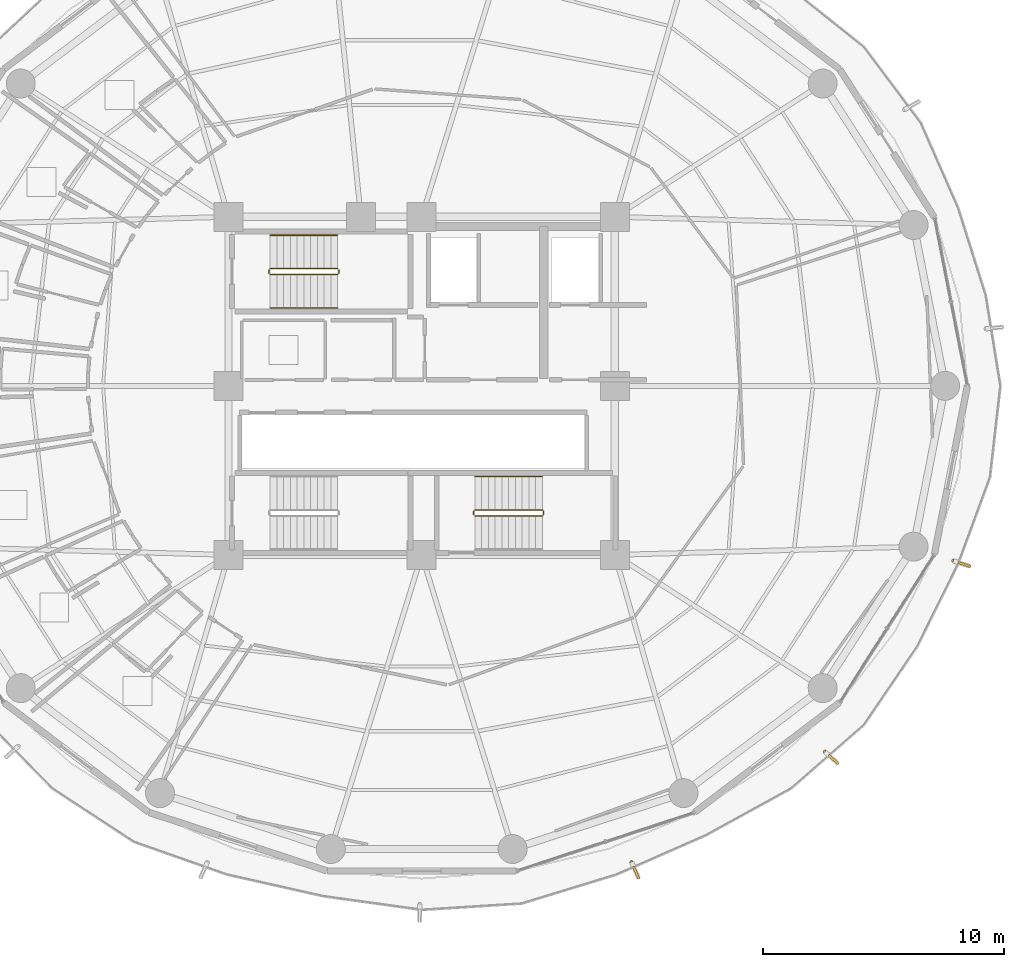
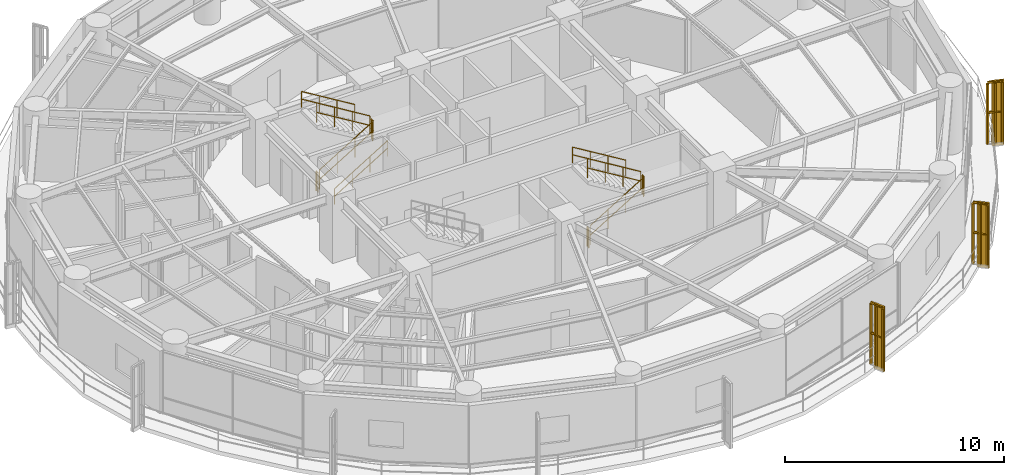
# One storey, part 27 of 28: 14 railings, 3 shading devices.
"""IFC4 building model written with IfcOpenShell, lengths in metres."""

import ifcopenshell
import ifcopenshell.guid

model = None  # the IFC model being written
_history = None  # IfcOwnerHistory: only IFC2X3 demands one
_inside = {}  # id of a spatial element -> (the spatial element, [elements in it])
_under = {}  # id of a project, library or spatial element -> (it, [spatial elements below it])
_declared = {}  # id of a project -> (the project, [libraries it declares])
_typed = {}  # id of a type object -> (the type object, [elements of that type])
_made_of = {}  # id of a material, layer set ... -> (it, [elements and type objects made of it])


def new_model(schema):
    """Start an empty IFC model of exactly this schema.

    Asked for "IFC4X3", IfcOpenShell would pick the latest addendum, in which some entities
    have other attributes; the version numbers below select the first issue.
    IFC2X3 requires an IfcOwnerHistory on every rooted entity: one is made here for all.
    """
    global model, _history
    if schema == "IFC4X3":
        model = ifcopenshell.file(schema_version=(4, 3, 0, 0))
    else:
        model = ifcopenshell.file(schema=schema)
    _inside.clear()
    _under.clear()
    _declared.clear()
    _typed.clear()
    _made_of.clear()
    _history = None
    if model.schema == "IFC2X3":
        org = make("IfcOrganization", Name="unknown")
        user = make(
            "IfcPersonAndOrganization",
            ThePerson=make("IfcPerson", FamilyName="unknown"),
            TheOrganization=org,
        )
        app = make(
            "IfcApplication",
            ApplicationDeveloper=org,
            Version="unknown",
            ApplicationFullName="unknown",
            ApplicationIdentifier="unknown",
        )
        _history = make(
            "IfcOwnerHistory",
            OwningUser=user,
            OwningApplication=app,
            ChangeAction="ADDED",
            CreationDate=0,
        )
    return model


def make(cls, **values):
    """One entity of the class cls with the attributes given. An attribute that is None is left unset."""
    return model.create_entity(
        cls, **{name: value for name, value in values.items() if value is not None}
    )


def rooted(cls, **values):
    """An entity with a GlobalId (a new one), such as an element, a storey or a relation."""
    return make(cls, GlobalId=ifcopenshell.guid.new(), OwnerHistory=_history, **values)


def si_unit(unit_type, name, prefix=None):
    """IfcSIUnit, for example si_unit("LENGTHUNIT", "METRE", prefix="MILLI")."""
    return make("IfcSIUnit", UnitType=unit_type, Prefix=prefix, Name=name)


def assignment(units):
    """IfcUnitAssignment: the units of a project."""
    return None if units is None else make("IfcUnitAssignment", Units=units)


def point(xyz):
    """IfcCartesianPoint."""
    return None if xyz is None else make("IfcCartesianPoint", Coordinates=xyz)


def direction(xyz):
    """IfcDirection."""
    return None if xyz is None else make("IfcDirection", DirectionRatios=xyz)


def frame(location, z_axis=None, x_axis=None):
    """IfcAxis2Placement3D, a coordinate frame: its origin and axes. An axis left out is left unset."""
    return make(
        "IfcAxis2Placement3D",
        Location=point(location),
        Axis=direction(z_axis),
        RefDirection=direction(x_axis),
    )


def frame_2d(location, x_axis=None):
    """IfcAxis2Placement2D, a coordinate frame in the plane: its origin and x axis."""
    return make(
        "IfcAxis2Placement2D", Location=point(location), RefDirection=direction(x_axis)
    )


def origin():
    """The frame at (0, 0, 0) with its axes left unset."""
    return frame((0.0, 0.0, 0.0))


def origin_2d():
    """The frame at (0, 0) in the plane with its x axis left unset."""
    return frame_2d((0.0, 0.0))


def place(relative_to, where):
    """IfcLocalPlacement: puts the frame where relative to a parent placement (None: the world)."""
    return make(
        "IfcLocalPlacement", PlacementRelTo=relative_to, RelativePlacement=where
    )


def context(
    kind, dimensions, precision=None, world=None, true_north=None, identifier=None
):
    """IfcGeometricRepresentationContext, for example the 3D "Model" context."""
    return make(
        "IfcGeometricRepresentationContext",
        ContextIdentifier=identifier,
        ContextType=kind,
        CoordinateSpaceDimension=dimensions,
        Precision=precision,
        WorldCoordinateSystem=world,
        TrueNorth=true_north,
    )


def subcontext(parent, identifier, kind, view, scale=None):
    """IfcGeometricRepresentationSubContext, for example "Body" below "Model"."""
    return make(
        "IfcGeometricRepresentationSubContext",
        ContextIdentifier=identifier,
        ContextType=kind,
        ParentContext=parent,
        TargetScale=scale,
        TargetView=view,
    )


def project(units=None, contexts=None):
    """IfcProject with its units and contexts."""
    return rooted(
        "IfcProject",
        Name="project",
        RepresentationContexts=contexts,
        UnitsInContext=assignment(units),
    )


def spatial(cls, under=None, at=None, **own):
    """A site, building, storey or space (cls), placed at a placement, below another one or the project."""
    s = rooted(cls, ObjectPlacement=at, **own)
    if under is not None:
        _under.setdefault(under.id(), (under, []))[1].append(s)
    return s


def polyline(points):
    """IfcPolyline through the points."""
    return make("IfcPolyline", Points=[point(p) for p in points])


def profile(cls, at=None, kind="AREA", **sizes):
    """A parametric profile (cls). Its sizes go by their IFC names, for example OverallWidth=200.0."""
    return make(cls, ProfileType=kind, Position=at, **sizes)


def rectangle(**sizes):
    """IfcRectangleProfileDef."""
    return profile("IfcRectangleProfileDef", **sizes)


def outline(outer, holes=None, kind="AREA"):
    """IfcArbitraryClosedProfileDef: a profile drawn as a closed curve; with holes, ...WithVoids."""
    if holes is None:
        return make("IfcArbitraryClosedProfileDef", ProfileType=kind, OuterCurve=outer)
    return make(
        "IfcArbitraryProfileDefWithVoids",
        ProfileType=kind,
        OuterCurve=outer,
        InnerCurves=holes,
    )


def extrude(swept, where, along, depth):
    """IfcExtrudedAreaSolid: the profile swept, set in the frame where, extruded along a direction by depth."""
    return make(
        "IfcExtrudedAreaSolid",
        SweptArea=swept,
        Position=where,
        ExtrudedDirection=direction(along),
        Depth=depth,
    )


def shape(context_of_items, identifier, shape_type, items):
    """IfcShapeRepresentation: the items that make up one representation, for example the "Body"."""
    return make(
        "IfcShapeRepresentation",
        ContextOfItems=context_of_items,
        RepresentationIdentifier=identifier,
        RepresentationType=shape_type,
        Items=items,
    )


def source(mapping_origin, context_of_items, identifier, shape_type, items):
    """IfcRepresentationMap: a shape defined once, which mapped items show again and again."""
    return make(
        "IfcRepresentationMap",
        MappingOrigin=mapping_origin,
        MappedRepresentation=shape(context_of_items, identifier, shape_type, items),
    )


def transform(
    local_origin,
    x_axis=None,
    y_axis=None,
    z_axis=None,
    scale=None,
    scale2=None,
    scale3=None,
    uniform=True,
):
    """IfcCartesianTransformationOperator3D, or its non-uniform kind. x_axis, y_axis, z_axis: its Axis1, 2, 3."""
    if uniform:
        return make(
            "IfcCartesianTransformationOperator3D",
            Axis1=direction(x_axis),
            Axis2=direction(y_axis),
            LocalOrigin=point(local_origin),
            Scale=scale,
            Axis3=direction(z_axis),
        )
    return make(
        "IfcCartesianTransformationOperator3DnonUniform",
        Axis1=direction(x_axis),
        Axis2=direction(y_axis),
        LocalOrigin=point(local_origin),
        Scale=scale,
        Axis3=direction(z_axis),
        Scale2=scale2,
        Scale3=scale3,
    )


def mapped(mapping_source, mapping_target):
    """IfcMappedItem: shows the shape of a source again, moved by a transform."""
    return make(
        "IfcMappedItem", MappingSource=mapping_source, MappingTarget=mapping_target
    )


def material(Name=None, Category=None):
    """IfcMaterial."""
    return make("IfcMaterial", Name=Name, Category=Category)


def made_of(thing, what):
    """Note that an element or type object is made of a material, layer set ...; save() writes the relation."""
    if what is not None:
        _made_of.setdefault(what.id(), (what, []))[1].append(thing)
    return thing


def type_object(cls, material=None, **own):
    """A type object (cls), such as IfcWallType, which elements share."""
    return made_of(rooted(cls, **own), material)


def element(
    cls,
    number,
    at=None,
    inside=None,
    cuts=None,
    type_object=None,
    material=None,
    context=None,
    identifier="Body",
    shape_type=None,
    held_by="IfcProductDefinitionShape",
    body=None,
    shapes=None,
    **own,
):
    """One element of the class cls, such as IfcWall. Its Tag is "e" and its number.

    at: its placement. inside: the storey or other place that contains it. cuts: it is an
    opening in that element (IfcRelVoidsElement). A single representation is given by context,
    identifier, shape_type and body (its items); several are given by shapes. held_by: the class
    of the entity that holds the representations. save() writes the other relations.
    """
    e = rooted(cls, Tag="e%d" % number, ObjectPlacement=at, **own)
    if body is not None:
        shapes = [shape(context, identifier, shape_type, body)]
    if shapes is not None:
        e.Representation = make(held_by, Representations=shapes)
    if inside is not None:
        _inside.setdefault(inside.id(), (inside, []))[1].append(e)
    if cuts is not None:
        rooted(
            "IfcRelVoidsElement", RelatingBuildingElement=cuts, RelatedOpeningElement=e
        )
    if type_object is not None:
        _typed.setdefault(type_object.id(), (type_object, []))[1].append(e)
    return made_of(e, material)


def aggregate(whole, parts):
    """IfcRelAggregates: a whole, such as a stair, and the parts it consists of."""
    return rooted("IfcRelAggregates", RelatingObject=whole, RelatedObjects=parts)


def save(model, path):
    """Write the relations noted so far, then the file.

    IfcRelAggregates (storeys below a building ...), IfcRelContainedInSpatialStructure (elements
    in a storey), IfcRelDefinesByType, IfcRelAssociatesMaterial and IfcRelDeclares: one each for
    every whole, place, type object, material and project.
    """
    for whole, parts in _under.values():
        aggregate(whole, parts)
    for where, things in _inside.values():
        rooted(
            "IfcRelContainedInSpatialStructure",
            RelatedElements=things,
            RelatingStructure=where,
        )
    for kind, things in _typed.values():
        rooted("IfcRelDefinesByType", RelatedObjects=things, RelatingType=kind)
    for what, things in _made_of.values():
        rooted("IfcRelAssociatesMaterial", RelatedObjects=things, RelatingMaterial=what)
    for by, libraries in _declared.values():
        rooted("IfcRelDeclares", RelatingContext=by, RelatedDefinitions=libraries)
    model.write(path)


model = new_model("IFC4")

# Units and contexts
model_context = context("Model", 3, precision=1e-05, world=origin(), true_north=direction((0.0, 1.0)))
body_context = subcontext(model_context, "Body", "Model", "MODEL_VIEW")
ifc_project = project(units=[si_unit("LENGTHUNIT", "METRE"), si_unit("AREAUNIT", "SQUARE_METRE"), si_unit("VOLUMEUNIT", "CUBIC_METRE"), si_unit("PLANEANGLEUNIT", "RADIAN"), si_unit("MASSUNIT", "GRAM", prefix="KILO")], contexts=[model_context])

# Site, building, storey
site_placement = place(None, origin())
site = spatial("IfcSite", under=ifc_project, at=site_placement, CompositionType="ELEMENT")
building_placement = place(site_placement, origin())
building = spatial("IfcBuilding", under=site, at=building_placement, Name="Kelanora Arch Commons", CompositionType="ELEMENT")
storey_placement = place(building_placement, frame((0.0, 0.0, 176.85009765625)))
storey = spatial("IfcBuildingStorey", under=building, at=storey_placement, Name="L45", CompositionType="ELEMENT", Elevation=176.85009765625)

# Railings
ifc_material_1 = material(Name="Anodised bronze vertical shading fin rib assembly")
railing_type_1 = type_object("IfcRailingType", Name="RAIL-FIN-BRZ", PredefinedType="BALUSTRADE", material=ifc_material_1)
railing_1_placement = place(storey_placement, frame((96.0244140625, 50.748779296875, -0.02001953125)))
element("IfcRailing", 1, at=railing_1_placement, inside=storey, type_object=railing_type_1, Name="Sweeping Bronze Vertical Fin Blade L45-00", PredefinedType="BALUSTRADE", context=body_context, shape_type="SweptSolid", body=[
    extrude(outline(polyline([(0.06982421875, 0.0), (0.034912109375, 0.060546875), (-0.034912109375, 0.060546875), (-0.06982421875, 0.0), (-0.034912109375, -0.060546875), (0.034912109375, -0.060546875), (0.06982421875, 0.0)])), frame((0.0, 0.0, 3.419921875), z_axis=(0.949941324141, -0.31242836089, 0.0), x_axis=(0.31242836089, 0.949941324141, 0.0)), (0.0, 0.0, 1.0), 0.675048828125),
    extrude(outline(polyline([(0.06982421875, 0.0), (0.034912109375, 0.060546875), (-0.034912109375, 0.060546875), (-0.06982421875, 0.0), (-0.034912109375, -0.060546875), (0.034912109375, -0.060546875), (0.06982421875, 0.0)])), frame((0.0, 0.0, 1.7451171875), z_axis=(0.949941324141, -0.31242836089, 0.0), x_axis=(0.31242836089, 0.949941324141, 0.0)), (0.0, 0.0, 1.0), 0.675048828125),
    extrude(outline(polyline([(0.080078125, 0.0), (0.0400390625, 0.0693359375), (-0.0400390625, 0.0693359375), (-0.080078125, 0.0), (-0.0400390625, -0.0693359375), (0.0400390625, -0.0693359375), (0.080078125, 0.0)])), origin(), (0.0, 0.0, 1.0), 3.35009765625),
    extrude(outline(polyline([(0.080078125, 0.0), (0.0400390625, 0.0693359375), (-0.0400390625, 0.0693359375), (-0.080078125, 0.0), (-0.0400390625, -0.0693359375), (0.0400390625, -0.0693359375), (0.080078125, 0.0)])), frame((0.32080078125, -0.10546875, 0.0)), (0.0, 0.0, 1.0), 3.35009765625),
    extrude(outline(polyline([(0.080078125, 0.0), (0.0400390625, 0.0693359375), (-0.0400390625, 0.0693359375), (-0.080078125, 0.0), (-0.0400390625, -0.0693359375), (0.0400390625, -0.0693359375), (0.080078125, 0.0)])), frame((0.641357421875, -0.2109375, 0.0)), (0.0, 0.0, 1.0), 3.35009765625),
])
railing_2_placement = place(storey_placement, frame((82.68994140625, 38.27587890625, -0.02001953125)))
element("IfcRailing", 2, at=railing_2_placement, inside=storey, type_object=railing_type_1, Name="Sweeping Bronze Vertical Fin Blade L45-13", PredefinedType="BALUSTRADE", context=body_context, shape_type="SweptSolid", body=[
    extrude(outline(polyline([(0.06982421875, 0.0), (0.034912109375, 0.060546875), (-0.034912109375, 0.060546875), (-0.06982421875, 0.0), (-0.034912109375, -0.060546875), (0.034912109375, -0.060546875), (0.06982421875, 0.0)])), frame((0.0, 0.0, 3.419921875), z_axis=(0.403283986301, -0.915074874747, 0.0), x_axis=(0.915074874747, 0.403283986301, 0.0)), (0.0, 0.0, 1.0), 0.675048828125),
    extrude(outline(polyline([(0.06982421875, 0.0), (0.034912109375, 0.060546875), (-0.034912109375, 0.060546875), (-0.06982421875, 0.0), (-0.034912109375, -0.060546875), (0.034912109375, -0.060546875), (0.06982421875, 0.0)])), frame((0.0, 0.0, 1.7451171875), z_axis=(0.403283986301, -0.915074874747, 0.0), x_axis=(0.915074874747, 0.403283986301, 0.0)), (0.0, 0.0, 1.0), 0.675048828125),
    extrude(outline(polyline([(0.080078125, 0.0), (0.0400390625, 0.0693359375), (-0.0400390625, 0.0693359375), (-0.080078125, 0.0), (-0.0400390625, -0.0693359375), (0.0400390625, -0.0693359375), (0.080078125, 0.0)])), origin(), (0.0, 0.0, 1.0), 3.35009765625),
    extrude(outline(polyline([(0.080078125, 0.0), (0.0400390625, 0.0693359375), (-0.0400390625, 0.0693359375), (-0.080078125, 0.0), (-0.0400390625, -0.0693359375), (0.0400390625, -0.0693359375), (0.080078125, 0.0)])), frame((0.13623046875, -0.308837890625, 0.0)), (0.0, 0.0, 1.0), 3.35009765625),
    extrude(outline(polyline([(0.080078125, 0.0), (0.0400390625, 0.0693359375), (-0.0400390625, 0.0693359375), (-0.080078125, 0.0), (-0.0400390625, -0.0693359375), (0.0400390625, -0.0693359375), (0.080078125, 0.0)])), frame((0.272216796875, -0.61767578125, 0.0)), (0.0, 0.0, 1.0), 3.35009765625),
])
railing_3_placement = place(storey_placement, frame((90.70361328125, 42.841796875, -0.02001953125)))
element("IfcRailing", 3, at=railing_3_placement, inside=storey, type_object=railing_type_1, Name="Sweeping Bronze Vertical Fin Blade L45-14", PredefinedType="BALUSTRADE", context=body_context, shape_type="SweptSolid", body=[
    extrude(outline(polyline([(0.06982421875, 0.0), (0.034912109375, 0.060546875), (-0.034912109375, 0.060546875), (-0.06982421875, 0.0), (-0.034912109375, -0.060546875), (0.034912109375, -0.060546875), (0.06982421875, 0.0)])), frame((0.0, 0.0, 3.419921875), z_axis=(0.740626955918, -0.671916447312, 0.0), x_axis=(0.671916447312, 0.740626955918, 0.0)), (0.0, 0.0, 1.0), 0.675048828125),
    extrude(outline(polyline([(0.06982421875, 0.0), (0.034912109375, 0.060546875), (-0.034912109375, 0.060546875), (-0.06982421875, 0.0), (-0.034912109375, -0.060546875), (0.034912109375, -0.060546875), (0.06982421875, 0.0)])), frame((0.0, 0.0, 1.7451171875), z_axis=(0.740626955918, -0.671916447312, 0.0), x_axis=(0.671916447312, 0.740626955918, 0.0)), (0.0, 0.0, 1.0), 0.675048828125),
    extrude(outline(polyline([(0.080078125, 0.0), (0.0400390625, 0.0693359375), (-0.0400390625, 0.0693359375), (-0.080078125, 0.0), (-0.0400390625, -0.0693359375), (0.0400390625, -0.0693359375), (0.080078125, 0.0)])), origin(), (0.0, 0.0, 1.0), 3.35009765625),
    extrude(outline(polyline([(0.080078125, 0.0), (0.0400390625, 0.0693359375), (-0.0400390625, 0.0693359375), (-0.080078125, 0.0), (-0.0400390625, -0.0693359375), (0.0400390625, -0.0693359375), (0.080078125, 0.0)])), frame((0.25, -0.226806640625, 0.0)), (0.0, 0.0, 1.0), 3.35009765625),
    extrude(outline(polyline([(0.080078125, 0.0), (0.0400390625, 0.0693359375), (-0.0400390625, 0.0693359375), (-0.080078125, 0.0), (-0.0400390625, -0.0693359375), (0.0400390625, -0.0693359375), (0.080078125, 0.0)])), frame((0.5, -0.45361328125, 0.0)), (0.0, 0.0, 1.0), 3.35009765625),
])
ifc_material_2 = material(Name="Painted steel stair well guard", Category="steel")
railing_type_2 = type_object("IfcRailingType", Name="RAIL-STAIR-GRD", PredefinedType="GUARDRAIL", material=ifc_material_2)
railing_4_placement = place(storey_placement, frame((67.719970703125, 62.610107421875, 0.17041015625)))
element("IfcRailing", 4, at=railing_4_placement, inside=storey, type_object=railing_type_2, Name="L45 ST-T1 stair guard 1", PredefinedType="GUARDRAIL", context=body_context, shape_type="SweptSolid", body=[
    extrude(outline(polyline([(0.02392578125, 0.0), (0.011962890625, 0.020751953125), (-0.011962890625, 0.020751953125), (-0.02392578125, 0.0), (-0.011962890625, -0.020751953125), (0.011962890625, -0.020751953125), (0.02392578125, 0.0)])), frame((0.0, 0.0, 1.076171875), z_axis=(0.854169791009, 0.0, 0.51999420009), x_axis=(0.0, 1.0, 0.0)), (0.0, 0.0, 1.0), 3.278076171875),
    extrude(outline(polyline([(0.02392578125, 0.0), (0.011962890625, 0.020751953125), (-0.011962890625, 0.020751953125), (-0.02392578125, 0.0), (-0.011962890625, -0.020751953125), (0.011962890625, -0.020751953125), (0.02392578125, 0.0)])), frame((0.0, 0.0, 0.550048828125), z_axis=(0.854169791009, 0.0, 0.51999420009), x_axis=(0.0, 1.0, 0.0)), (0.0, 0.0, 1.0), 3.278076171875),
    extrude(outline(polyline([(0.02099609375, 0.0), (0.010498046875, 0.01806640625), (-0.010498046875, 0.01806640625), (-0.02099609375, 0.0), (-0.010498046875, -0.01806640625), (0.010498046875, -0.01806640625), (0.02099609375, 0.0)])), origin(), (0.0, 0.0, 1.0), 1.052001953125),
    extrude(outline(polyline([(0.02099609375, 0.0), (0.010498046875, 0.01806640625), (-0.010498046875, 0.01806640625), (-0.02099609375, 0.0), (-0.010498046875, -0.01806640625), (0.010498046875, -0.01806640625), (0.02099609375, 0.0)])), frame((0.933349609375, 0.0, 0.568115234375)), (0.0, 0.0, 1.0), 1.052001953125),
    extrude(outline(polyline([(0.02099609375, 0.0), (0.010498046875, 0.01806640625), (-0.010498046875, 0.01806640625), (-0.02099609375, 0.0), (-0.010498046875, -0.01806640625), (0.010498046875, -0.01806640625), (0.02099609375, 0.0)])), frame((1.86669921875, 0.0, 1.136474609375)), (0.0, 0.0, 1.0), 1.052001953125),
    extrude(outline(polyline([(0.02099609375, 0.0), (0.010498046875, 0.01806640625), (-0.010498046875, 0.01806640625), (-0.02099609375, 0.0), (-0.010498046875, -0.01806640625), (0.010498046875, -0.01806640625), (0.02099609375, 0.0)])), frame((2.800048828125, 0.0, 1.70458984375)), (0.0, 0.0, 1.0), 1.052001953125),
])
railing_5_placement = place(storey_placement, frame((70.570068359375, 62.659912109375, 1.875)))
element("IfcRailing", 5, at=railing_5_placement, inside=storey, type_object=railing_type_2, Name="L45 ST-T1 stair guard 2", PredefinedType="GUARDRAIL", context=body_context, shape_type="SweptSolid", body=[
    extrude(outline(polyline([(0.02392578125, 0.0), (0.011962890625, 0.020751953125), (-0.011962890625, 0.020751953125), (-0.02392578125, 0.0), (-0.011962890625, -0.020751953125), (0.011962890625, -0.020751953125), (0.02392578125, 0.0)])), frame((0.0, 0.0, 1.076171875), z_axis=(0.0, 1.0, 0.0), x_axis=(-1.0, 0.0, 0.0)), (0.0, 0.0, 1.0), 0.150146484375),
    extrude(outline(polyline([(0.02392578125, 0.0), (0.011962890625, 0.020751953125), (-0.011962890625, 0.020751953125), (-0.02392578125, 0.0), (-0.011962890625, -0.020751953125), (0.011962890625, -0.020751953125), (0.02392578125, 0.0)])), frame((0.0, 0.0, 0.550048828125), z_axis=(0.0, 1.0, 0.0), x_axis=(-1.0, 0.0, 0.0)), (0.0, 0.0, 1.0), 0.150146484375),
    extrude(outline(polyline([(0.02099609375, 0.0), (0.010498046875, 0.01806640625), (-0.010498046875, 0.01806640625), (-0.02099609375, 0.0), (-0.010498046875, -0.01806640625), (0.010498046875, -0.01806640625), (0.02099609375, 0.0)])), origin(), (0.0, 0.0, 1.0), 1.052001953125),
    extrude(outline(polyline([(0.02099609375, 0.0), (0.010498046875, 0.01806640625), (-0.010498046875, 0.01806640625), (-0.02099609375, 0.0), (-0.010498046875, -0.01806640625), (0.010498046875, -0.01806640625), (0.02099609375, 0.0)])), frame((0.0, 0.150146484375, 0.0)), (0.0, 0.0, 1.0), 1.052001953125),
])
railing_6_placement = place(storey_placement, frame((70.52001953125, 62.860107421875, 2.04541015625)))
element("IfcRailing", 6, at=railing_6_placement, inside=storey, type_object=railing_type_2, Name="L45 ST-T1 stair guard 3", PredefinedType="GUARDRAIL", context=body_context, shape_type="SweptSolid", body=[
    extrude(outline(polyline([(0.02392578125, 0.0), (0.011962890625, 0.020751953125), (-0.011962890625, 0.020751953125), (-0.02392578125, 0.0), (-0.011962890625, -0.020751953125), (0.011962890625, -0.020751953125), (0.02392578125, 0.0)])), frame((0.0, 0.0, 1.076171875), z_axis=(-0.854169791009, 0.0, 0.51999420009), x_axis=(0.0, -1.0, 0.0)), (0.0, 0.0, 1.0), 3.278076171875),
    extrude(outline(polyline([(0.02392578125, 0.0), (0.011962890625, 0.020751953125), (-0.011962890625, 0.020751953125), (-0.02392578125, 0.0), (-0.011962890625, -0.020751953125), (0.011962890625, -0.020751953125), (0.02392578125, 0.0)])), frame((0.0, 0.0, 0.550048828125), z_axis=(-0.854169791009, 0.0, 0.51999420009), x_axis=(0.0, -1.0, 0.0)), (0.0, 0.0, 1.0), 3.278076171875),
    extrude(outline(polyline([(0.02099609375, 0.0), (0.010498046875, 0.01806640625), (-0.010498046875, 0.01806640625), (-0.02099609375, 0.0), (-0.010498046875, -0.01806640625), (0.010498046875, -0.01806640625), (0.02099609375, 0.0)])), origin(), (0.0, 0.0, 1.0), 1.052001953125),
    extrude(outline(polyline([(0.02099609375, 0.0), (0.010498046875, 0.01806640625), (-0.010498046875, 0.01806640625), (-0.02099609375, 0.0), (-0.010498046875, -0.01806640625), (0.010498046875, -0.01806640625), (0.02099609375, 0.0)])), frame((-0.933349609375, 0.0, 0.568115234375)), (0.0, 0.0, 1.0), 1.052001953125),
    extrude(outline(polyline([(0.02099609375, 0.0), (0.010498046875, 0.01806640625), (-0.010498046875, 0.01806640625), (-0.02099609375, 0.0), (-0.010498046875, -0.01806640625), (0.010498046875, -0.01806640625), (0.02099609375, 0.0)])), frame((-1.86669921875, 0.0, 1.136474609375)), (0.0, 0.0, 1.0), 1.052001953125),
    extrude(outline(polyline([(0.02099609375, 0.0), (0.010498046875, 0.01806640625), (-0.010498046875, 0.01806640625), (-0.02099609375, 0.0), (-0.010498046875, -0.01806640625), (0.010498046875, -0.01806640625), (0.02099609375, 0.0)])), frame((-2.800048828125, 0.0, 1.70458984375)), (0.0, 0.0, 1.0), 1.052001953125),
])
railing_7_placement = place(storey_placement, frame((67.669921875, 62.659912109375, 0.0)))
element("IfcRailing", 7, at=railing_7_placement, inside=storey, type_object=railing_type_2, Name="L45 ST-T1 stair guard 4", PredefinedType="GUARDRAIL", context=body_context, shape_type="SweptSolid", body=[
    extrude(outline(polyline([(0.02392578125, 0.0), (0.011962890625, 0.020751953125), (-0.011962890625, 0.020751953125), (-0.02392578125, 0.0), (-0.011962890625, -0.020751953125), (0.011962890625, -0.020751953125), (0.02392578125, 0.0)])), frame((0.0, 0.0, 1.076171875), z_axis=(0.0, 1.0, 0.0), x_axis=(-1.0, 0.0, 0.0)), (0.0, 0.0, 1.0), 0.150146484375),
    extrude(outline(polyline([(0.02392578125, 0.0), (0.011962890625, 0.020751953125), (-0.011962890625, 0.020751953125), (-0.02392578125, 0.0), (-0.011962890625, -0.020751953125), (0.011962890625, -0.020751953125), (0.02392578125, 0.0)])), frame((0.0, 0.0, 0.550048828125), z_axis=(0.0, 1.0, 0.0), x_axis=(-1.0, 0.0, 0.0)), (0.0, 0.0, 1.0), 0.150146484375),
    extrude(outline(polyline([(0.02099609375, 0.0), (0.010498046875, 0.01806640625), (-0.010498046875, 0.01806640625), (-0.02099609375, 0.0), (-0.010498046875, -0.01806640625), (0.010498046875, -0.01806640625), (0.02099609375, 0.0)])), origin(), (0.0, 0.0, 1.0), 1.052001953125),
    extrude(outline(polyline([(0.02099609375, 0.0), (0.010498046875, 0.01806640625), (-0.010498046875, 0.01806640625), (-0.02099609375, 0.0), (-0.010498046875, -0.01806640625), (0.010498046875, -0.01806640625), (0.02099609375, 0.0)])), frame((0.0, 0.150146484375, 0.0)), (0.0, 0.0, 1.0), 1.052001953125),
])
railing_8_placement = place(storey_placement, frame((76.199951171875, 52.610107421875, 0.17041015625)))
element("IfcRailing", 8, at=railing_8_placement, inside=storey, type_object=railing_type_2, Name="L45 ST-T2 stair guard 1", PredefinedType="GUARDRAIL", context=body_context, shape_type="SweptSolid", body=[
    extrude(outline(polyline([(0.02392578125, 0.0), (0.011962890625, 0.020751953125), (-0.011962890625, 0.020751953125), (-0.02392578125, 0.0), (-0.011962890625, -0.020751953125), (0.011962890625, -0.020751953125), (0.02392578125, 0.0)])), frame((0.0, 0.0, 1.076171875), z_axis=(0.854169791009, 0.0, 0.51999420009), x_axis=(0.0, 1.0, 0.0)), (0.0, 0.0, 1.0), 3.278076171875),
    extrude(outline(polyline([(0.02392578125, 0.0), (0.011962890625, 0.020751953125), (-0.011962890625, 0.020751953125), (-0.02392578125, 0.0), (-0.011962890625, -0.020751953125), (0.011962890625, -0.020751953125), (0.02392578125, 0.0)])), frame((0.0, 0.0, 0.550048828125), z_axis=(0.854169791009, 0.0, 0.51999420009), x_axis=(0.0, 1.0, 0.0)), (0.0, 0.0, 1.0), 3.278076171875),
    extrude(outline(polyline([(0.02099609375, 0.0), (0.010498046875, 0.01806640625), (-0.010498046875, 0.01806640625), (-0.02099609375, 0.0), (-0.010498046875, -0.01806640625), (0.010498046875, -0.01806640625), (0.02099609375, 0.0)])), origin(), (0.0, 0.0, 1.0), 1.052001953125),
    extrude(outline(polyline([(0.02099609375, 0.0), (0.010498046875, 0.01806640625), (-0.010498046875, 0.01806640625), (-0.02099609375, 0.0), (-0.010498046875, -0.01806640625), (0.010498046875, -0.01806640625), (0.02099609375, 0.0)])), frame((0.933349609375, 0.0, 0.568115234375)), (0.0, 0.0, 1.0), 1.052001953125),
    extrude(outline(polyline([(0.02099609375, 0.0), (0.010498046875, 0.01806640625), (-0.010498046875, 0.01806640625), (-0.02099609375, 0.0), (-0.010498046875, -0.01806640625), (0.010498046875, -0.01806640625), (0.02099609375, 0.0)])), frame((1.86669921875, 0.0, 1.136474609375)), (0.0, 0.0, 1.0), 1.052001953125),
    extrude(outline(polyline([(0.02099609375, 0.0), (0.010498046875, 0.01806640625), (-0.010498046875, 0.01806640625), (-0.02099609375, 0.0), (-0.010498046875, -0.01806640625), (0.010498046875, -0.01806640625), (0.02099609375, 0.0)])), frame((2.800048828125, 0.0, 1.70458984375)), (0.0, 0.0, 1.0), 1.052001953125),
])
railing_9_placement = place(storey_placement, frame((79.050048828125, 52.659912109375, 1.875)))
element("IfcRailing", 9, at=railing_9_placement, inside=storey, type_object=railing_type_2, Name="L45 ST-T2 stair guard 2", PredefinedType="GUARDRAIL", context=body_context, shape_type="SweptSolid", body=[
    extrude(outline(polyline([(0.02392578125, 0.0), (0.011962890625, 0.020751953125), (-0.011962890625, 0.020751953125), (-0.02392578125, 0.0), (-0.011962890625, -0.020751953125), (0.011962890625, -0.020751953125), (0.02392578125, 0.0)])), frame((0.0, 0.0, 1.076171875), z_axis=(0.0, 1.0, 0.0), x_axis=(-1.0, 0.0, 0.0)), (0.0, 0.0, 1.0), 0.150146484375),
    extrude(outline(polyline([(0.02392578125, 0.0), (0.011962890625, 0.020751953125), (-0.011962890625, 0.020751953125), (-0.02392578125, 0.0), (-0.011962890625, -0.020751953125), (0.011962890625, -0.020751953125), (0.02392578125, 0.0)])), frame((0.0, 0.0, 0.550048828125), z_axis=(0.0, 1.0, 0.0), x_axis=(-1.0, 0.0, 0.0)), (0.0, 0.0, 1.0), 0.150146484375),
    extrude(outline(polyline([(0.02099609375, 0.0), (0.010498046875, 0.01806640625), (-0.010498046875, 0.01806640625), (-0.02099609375, 0.0), (-0.010498046875, -0.01806640625), (0.010498046875, -0.01806640625), (0.02099609375, 0.0)])), origin(), (0.0, 0.0, 1.0), 1.052001953125),
    extrude(outline(polyline([(0.02099609375, 0.0), (0.010498046875, 0.01806640625), (-0.010498046875, 0.01806640625), (-0.02099609375, 0.0), (-0.010498046875, -0.01806640625), (0.010498046875, -0.01806640625), (0.02099609375, 0.0)])), frame((0.0, 0.150146484375, 0.0)), (0.0, 0.0, 1.0), 1.052001953125),
])
railing_10_placement = place(storey_placement, frame((79.0, 52.860107421875, 2.04541015625)))
element("IfcRailing", 10, at=railing_10_placement, inside=storey, type_object=railing_type_2, Name="L45 ST-T2 stair guard 3", PredefinedType="GUARDRAIL", context=body_context, shape_type="SweptSolid", body=[
    extrude(outline(polyline([(0.02392578125, 0.0), (0.011962890625, 0.020751953125), (-0.011962890625, 0.020751953125), (-0.02392578125, 0.0), (-0.011962890625, -0.020751953125), (0.011962890625, -0.020751953125), (0.02392578125, 0.0)])), frame((0.0, 0.0, 1.076171875), z_axis=(-0.854169791009, 0.0, 0.51999420009), x_axis=(0.0, -1.0, 0.0)), (0.0, 0.0, 1.0), 3.278076171875),
    extrude(outline(polyline([(0.02392578125, 0.0), (0.011962890625, 0.020751953125), (-0.011962890625, 0.020751953125), (-0.02392578125, 0.0), (-0.011962890625, -0.020751953125), (0.011962890625, -0.020751953125), (0.02392578125, 0.0)])), frame((0.0, 0.0, 0.550048828125), z_axis=(-0.854169791009, 0.0, 0.51999420009), x_axis=(0.0, -1.0, 0.0)), (0.0, 0.0, 1.0), 3.278076171875),
    extrude(outline(polyline([(0.02099609375, 0.0), (0.010498046875, 0.01806640625), (-0.010498046875, 0.01806640625), (-0.02099609375, 0.0), (-0.010498046875, -0.01806640625), (0.010498046875, -0.01806640625), (0.02099609375, 0.0)])), origin(), (0.0, 0.0, 1.0), 1.052001953125),
    extrude(outline(polyline([(0.02099609375, 0.0), (0.010498046875, 0.01806640625), (-0.010498046875, 0.01806640625), (-0.02099609375, 0.0), (-0.010498046875, -0.01806640625), (0.010498046875, -0.01806640625), (0.02099609375, 0.0)])), frame((-0.933349609375, 0.0, 0.568115234375)), (0.0, 0.0, 1.0), 1.052001953125),
    extrude(outline(polyline([(0.02099609375, 0.0), (0.010498046875, 0.01806640625), (-0.010498046875, 0.01806640625), (-0.02099609375, 0.0), (-0.010498046875, -0.01806640625), (0.010498046875, -0.01806640625), (0.02099609375, 0.0)])), frame((-1.86669921875, 0.0, 1.136474609375)), (0.0, 0.0, 1.0), 1.052001953125),
    extrude(outline(polyline([(0.02099609375, 0.0), (0.010498046875, 0.01806640625), (-0.010498046875, 0.01806640625), (-0.02099609375, 0.0), (-0.010498046875, -0.01806640625), (0.010498046875, -0.01806640625), (0.02099609375, 0.0)])), frame((-2.800048828125, 0.0, 1.70458984375)), (0.0, 0.0, 1.0), 1.052001953125),
])
railing_11_placement = place(storey_placement, frame((76.14990234375, 52.659912109375, 0.0)))
element("IfcRailing", 11, at=railing_11_placement, inside=storey, type_object=railing_type_2, Name="L45 ST-T2 stair guard 4", PredefinedType="GUARDRAIL", context=body_context, shape_type="SweptSolid", body=[
    extrude(outline(polyline([(0.02392578125, 0.0), (0.011962890625, 0.020751953125), (-0.011962890625, 0.020751953125), (-0.02392578125, 0.0), (-0.011962890625, -0.020751953125), (0.011962890625, -0.020751953125), (0.02392578125, 0.0)])), frame((0.0, 0.0, 1.076171875), z_axis=(0.0, 1.0, 0.0), x_axis=(-1.0, 0.0, 0.0)), (0.0, 0.0, 1.0), 0.150146484375),
    extrude(outline(polyline([(0.02392578125, 0.0), (0.011962890625, 0.020751953125), (-0.011962890625, 0.020751953125), (-0.02392578125, 0.0), (-0.011962890625, -0.020751953125), (0.011962890625, -0.020751953125), (0.02392578125, 0.0)])), frame((0.0, 0.0, 0.550048828125), z_axis=(0.0, 1.0, 0.0), x_axis=(-1.0, 0.0, 0.0)), (0.0, 0.0, 1.0), 0.150146484375),
    extrude(outline(polyline([(0.02099609375, 0.0), (0.010498046875, 0.01806640625), (-0.010498046875, 0.01806640625), (-0.02099609375, 0.0), (-0.010498046875, -0.01806640625), (0.010498046875, -0.01806640625), (0.02099609375, 0.0)])), origin(), (0.0, 0.0, 1.0), 1.052001953125),
    extrude(outline(polyline([(0.02099609375, 0.0), (0.010498046875, 0.01806640625), (-0.010498046875, 0.01806640625), (-0.02099609375, 0.0), (-0.010498046875, -0.01806640625), (0.010498046875, -0.01806640625), (0.02099609375, 0.0)])), frame((0.0, 0.150146484375, 0.0)), (0.0, 0.0, 1.0), 1.052001953125),
])
ifc_material_3 = material(Name="Brushed stainless steel stair handrail", Category="steel")
railing_type_3 = type_object("IfcRailingType", Name="RAIL-STAIR-HND", PredefinedType="HANDRAIL", material=ifc_material_3)
railing_12_placement = place(storey_placement, frame((67.719970703125, 61.22998046875, 0.17041015625)))
element("IfcRailing", 12, at=railing_12_placement, inside=storey, type_object=railing_type_3, Name="L45 ST-T1 stair handrail 1", PredefinedType="HANDRAIL", context=body_context, shape_type="SweptSolid", body=[
    extrude(outline(polyline([(0.02392578125, 0.0), (0.011962890625, 0.020751953125), (-0.011962890625, 0.020751953125), (-0.02392578125, 0.0), (-0.011962890625, -0.020751953125), (0.011962890625, -0.020751953125), (0.02392578125, 0.0)])), frame((0.0, 0.0, 0.8759765625), z_axis=(0.854169791009, 0.0, 0.51999420009), x_axis=(0.0, 1.0, 0.0)), (0.0, 0.0, 1.0), 3.278076171875),
    extrude(outline(polyline([(0.02392578125, 0.0), (0.011962890625, 0.020751953125), (-0.011962890625, 0.020751953125), (-0.02392578125, 0.0), (-0.011962890625, -0.020751953125), (0.011962890625, -0.020751953125), (0.02392578125, 0.0)])), frame((0.0, 0.0, 0.449951171875), z_axis=(0.854169791009, 0.0, 0.51999420009), x_axis=(0.0, 1.0, 0.0)), (0.0, 0.0, 1.0), 3.278076171875),
    extrude(outline(polyline([(0.02099609375, 0.0), (0.010498046875, 0.01806640625), (-0.010498046875, 0.01806640625), (-0.02099609375, 0.0), (-0.010498046875, -0.01806640625), (0.010498046875, -0.01806640625), (0.02099609375, 0.0)])), origin(), (0.0, 0.0, 1.0), 0.851806640625),
    extrude(outline(polyline([(0.02099609375, 0.0), (0.010498046875, 0.01806640625), (-0.010498046875, 0.01806640625), (-0.02099609375, 0.0), (-0.010498046875, -0.01806640625), (0.010498046875, -0.01806640625), (0.02099609375, 0.0)])), frame((0.933349609375, 0.0, 0.568115234375)), (0.0, 0.0, 1.0), 0.851806640625),
    extrude(outline(polyline([(0.02099609375, 0.0), (0.010498046875, 0.01806640625), (-0.010498046875, 0.01806640625), (-0.02099609375, 0.0), (-0.010498046875, -0.01806640625), (0.010498046875, -0.01806640625), (0.02099609375, 0.0)])), frame((1.86669921875, 0.0, 1.136474609375)), (0.0, 0.0, 1.0), 0.851806640625),
    extrude(outline(polyline([(0.02099609375, 0.0), (0.010498046875, 0.01806640625), (-0.010498046875, 0.01806640625), (-0.02099609375, 0.0), (-0.010498046875, -0.01806640625), (0.010498046875, -0.01806640625), (0.02099609375, 0.0)])), frame((2.800048828125, 0.0, 1.70458984375)), (0.0, 0.0, 1.0), 0.851806640625),
])
railing_13_placement = place(storey_placement, frame((70.52001953125, 64.239990234375, 2.04541015625)))
element("IfcRailing", 13, at=railing_13_placement, inside=storey, type_object=railing_type_3, Name="L45 ST-T1 stair handrail 2", PredefinedType="HANDRAIL", context=body_context, shape_type="SweptSolid", body=[
    extrude(outline(polyline([(0.02392578125, 0.0), (0.011962890625, 0.020751953125), (-0.011962890625, 0.020751953125), (-0.02392578125, 0.0), (-0.011962890625, -0.020751953125), (0.011962890625, -0.020751953125), (0.02392578125, 0.0)])), frame((0.0, 0.0, 0.8759765625), z_axis=(-0.854169791009, 0.0, 0.51999420009), x_axis=(0.0, -1.0, 0.0)), (0.0, 0.0, 1.0), 3.278076171875),
    extrude(outline(polyline([(0.02392578125, 0.0), (0.011962890625, 0.020751953125), (-0.011962890625, 0.020751953125), (-0.02392578125, 0.0), (-0.011962890625, -0.020751953125), (0.011962890625, -0.020751953125), (0.02392578125, 0.0)])), frame((0.0, 0.0, 0.449951171875), z_axis=(-0.854169791009, 0.0, 0.51999420009), x_axis=(0.0, -1.0, 0.0)), (0.0, 0.0, 1.0), 3.278076171875),
    extrude(outline(polyline([(0.02099609375, 0.0), (0.010498046875, 0.01806640625), (-0.010498046875, 0.01806640625), (-0.02099609375, 0.0), (-0.010498046875, -0.01806640625), (0.010498046875, -0.01806640625), (0.02099609375, 0.0)])), origin(), (0.0, 0.0, 1.0), 0.851806640625),
    extrude(outline(polyline([(0.02099609375, 0.0), (0.010498046875, 0.01806640625), (-0.010498046875, 0.01806640625), (-0.02099609375, 0.0), (-0.010498046875, -0.01806640625), (0.010498046875, -0.01806640625), (0.02099609375, 0.0)])), frame((-0.933349609375, 0.0, 0.568115234375)), (0.0, 0.0, 1.0), 0.851806640625),
    extrude(outline(polyline([(0.02099609375, 0.0), (0.010498046875, 0.01806640625), (-0.010498046875, 0.01806640625), (-0.02099609375, 0.0), (-0.010498046875, -0.01806640625), (0.010498046875, -0.01806640625), (0.02099609375, 0.0)])), frame((-1.86669921875, 0.0, 1.136474609375)), (0.0, 0.0, 1.0), 0.851806640625),
    extrude(outline(polyline([(0.02099609375, 0.0), (0.010498046875, 0.01806640625), (-0.010498046875, 0.01806640625), (-0.02099609375, 0.0), (-0.010498046875, -0.01806640625), (0.010498046875, -0.01806640625), (0.02099609375, 0.0)])), frame((-2.800048828125, 0.0, 1.70458984375)), (0.0, 0.0, 1.0), 0.851806640625),
])
railing_14_placement = place(storey_placement, frame((79.0, 54.239990234375, 2.04541015625)))
element("IfcRailing", 14, at=railing_14_placement, inside=storey, type_object=railing_type_3, Name="L45 ST-T2 stair handrail 2", PredefinedType="HANDRAIL", context=body_context, shape_type="SweptSolid", body=[
    extrude(outline(polyline([(0.02392578125, 0.0), (0.011962890625, 0.020751953125), (-0.011962890625, 0.020751953125), (-0.02392578125, 0.0), (-0.011962890625, -0.020751953125), (0.011962890625, -0.020751953125), (0.02392578125, 0.0)])), frame((0.0, 0.0, 0.8759765625), z_axis=(-0.854169791009, 0.0, 0.51999420009), x_axis=(0.0, -1.0, 0.0)), (0.0, 0.0, 1.0), 3.278076171875),
    extrude(outline(polyline([(0.02392578125, 0.0), (0.011962890625, 0.020751953125), (-0.011962890625, 0.020751953125), (-0.02392578125, 0.0), (-0.011962890625, -0.020751953125), (0.011962890625, -0.020751953125), (0.02392578125, 0.0)])), frame((0.0, 0.0, 0.449951171875), z_axis=(-0.854169791009, 0.0, 0.51999420009), x_axis=(0.0, -1.0, 0.0)), (0.0, 0.0, 1.0), 3.278076171875),
    extrude(outline(polyline([(0.02099609375, 0.0), (0.010498046875, 0.01806640625), (-0.010498046875, 0.01806640625), (-0.02099609375, 0.0), (-0.010498046875, -0.01806640625), (0.010498046875, -0.01806640625), (0.02099609375, 0.0)])), origin(), (0.0, 0.0, 1.0), 0.851806640625),
    extrude(outline(polyline([(0.02099609375, 0.0), (0.010498046875, 0.01806640625), (-0.010498046875, 0.01806640625), (-0.02099609375, 0.0), (-0.010498046875, -0.01806640625), (0.010498046875, -0.01806640625), (0.02099609375, 0.0)])), frame((-0.933349609375, 0.0, 0.568115234375)), (0.0, 0.0, 1.0), 0.851806640625),
    extrude(outline(polyline([(0.02099609375, 0.0), (0.010498046875, 0.01806640625), (-0.010498046875, 0.01806640625), (-0.02099609375, 0.0), (-0.010498046875, -0.01806640625), (0.010498046875, -0.01806640625), (0.02099609375, 0.0)])), frame((-1.86669921875, 0.0, 1.136474609375)), (0.0, 0.0, 1.0), 0.851806640625),
    extrude(outline(polyline([(0.02099609375, 0.0), (0.010498046875, 0.01806640625), (-0.010498046875, 0.01806640625), (-0.02099609375, 0.0), (-0.010498046875, -0.01806640625), (0.010498046875, -0.01806640625), (0.02099609375, 0.0)])), frame((-2.800048828125, 0.0, 1.70458984375)), (0.0, 0.0, 1.0), 0.851806640625),
])

# Shading devices
ifc_material_4 = material(Name="Terracotta ceramic-clad extruded aluminium fin", Category="masonry")
shading_device_type = type_object("IfcShadingDeviceType", Name="SHD-FIN-WAIST", PredefinedType="USERDEFINED", material=ifc_material_4)
shared_shape = source(origin(), body_context, "Body", "SweptSolid", [
    extrude(rectangle(XDim=0.56005859375, YDim=0.090087890625, at=origin_2d()), origin(), (0.0, 0.0, 1.0), 3.610107421875),
])
for number, where, z_axis, x_axis, name in (
    (15, (96.47802734375, 50.599609375, -0.14013671875), (0.0, 0.0, 1.0), (0.949862968197, -0.312666502279, 0.0), "Sweeping Terracotta Fin L45-00"),
    (16, (82.88232421875, 37.8388671875, -0.14013671875), (0.0, 0.0, 1.0), (0.403225890599, -0.915100475986, 0.0), "Sweeping Terracotta Fin L45-13"),
    (17, (91.05712890625, 42.52099609375, -0.14013671875), (0.0, 0.0, 1.0), (0.74057007644, -0.671979137981, 0.0), "Sweeping Terracotta Fin L45-14"),
):
    element("IfcShadingDevice", number, at=place(storey_placement, frame(where, z_axis=z_axis, x_axis=x_axis)), inside=storey, type_object=shading_device_type, Name=name, ObjectType="FIN", PredefinedType="USERDEFINED", context=body_context, shape_type="MappedRepresentation", body=[
        mapped(shared_shape, transform((0.0, 0.0, 0.0), scale=1.0)),
    ])

save(model, "model.ifc")
